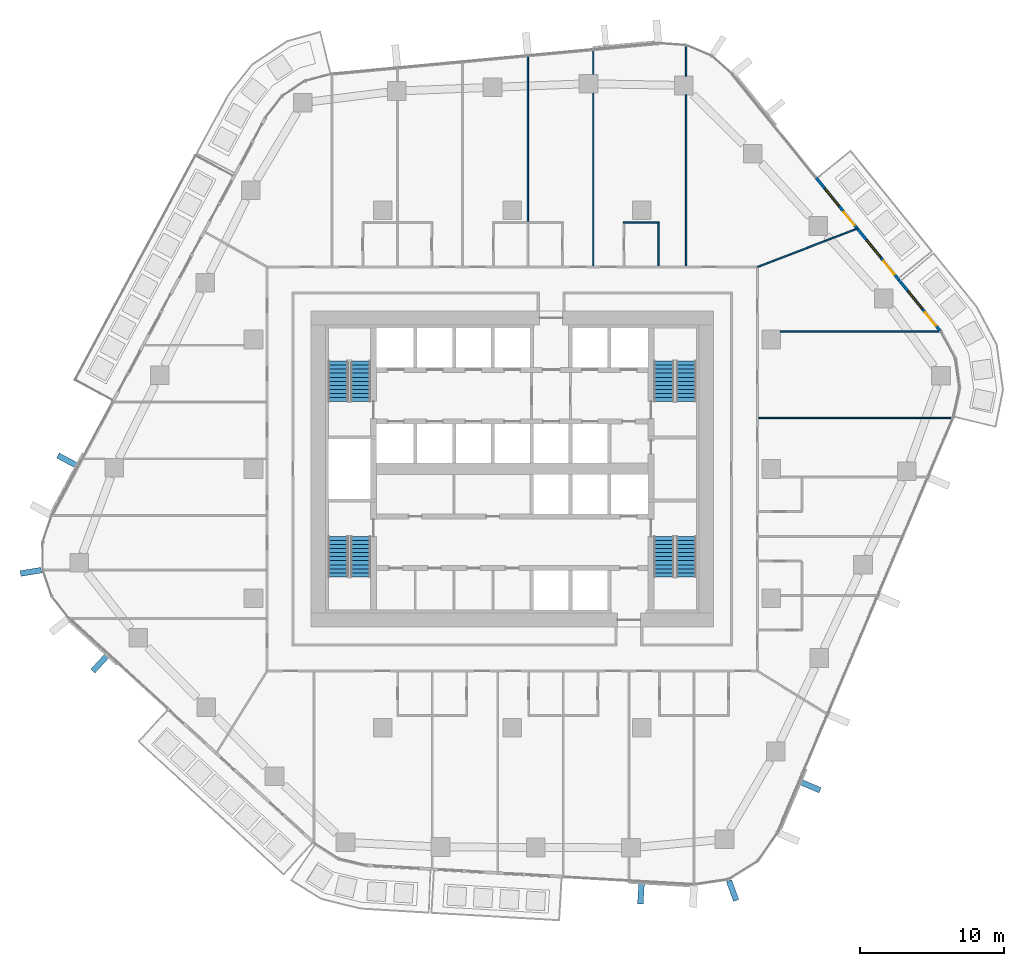
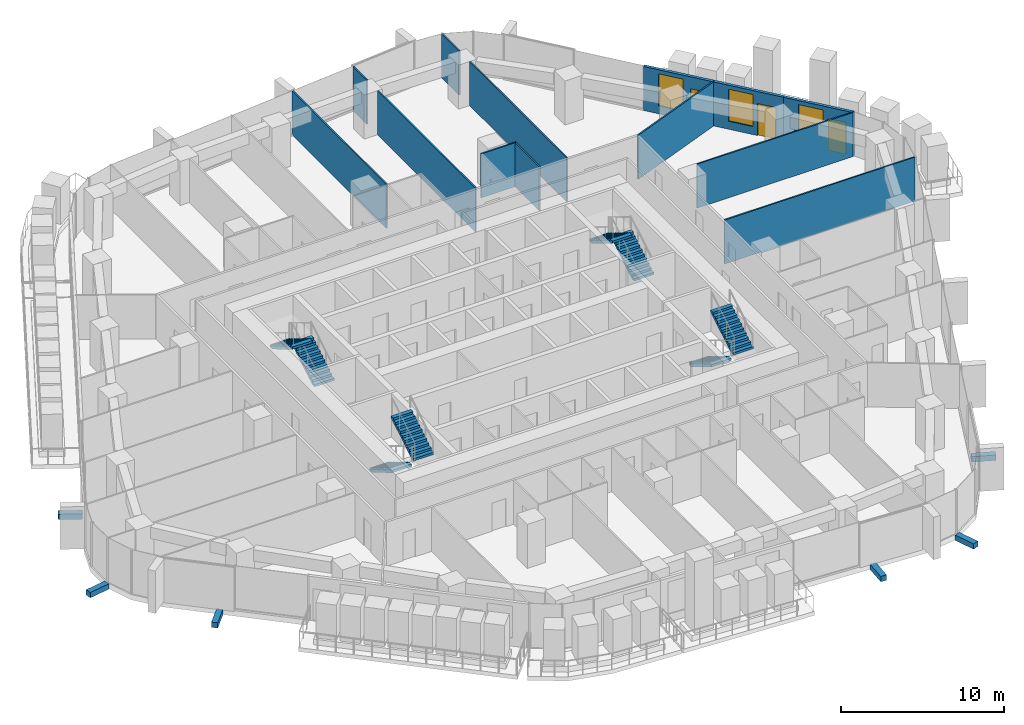
# One storey, part 17 of 24: 12 walls, 8 stair flights, 6 discrete accessories, 3 doors, 3 windows, 6 openings, 4 elements without a shape of their own.
"""IFC4 building model written with IfcOpenShell, lengths in metres."""

from ifc_helpers import new_model, si_unit, direction, frame, frame_2d, origin, origin_2d, place, context, subcontext, project, spatial, polyline, rectangle, outline, extrude, material, layer, layer_set, type_object, element, fill, aggregate, save


model = new_model("IFC4")

# Units and contexts
model_context = context("Model", 3, precision=1e-05, world=origin(), true_north=direction((0.0, 1.0)))
body_context = subcontext(model_context, "Body", "Model", "MODEL_VIEW")
ifc_project = project(units=[si_unit("LENGTHUNIT", "METRE"), si_unit("AREAUNIT", "SQUARE_METRE"), si_unit("VOLUMEUNIT", "CUBIC_METRE"), si_unit("PLANEANGLEUNIT", "RADIAN"), si_unit("MASSUNIT", "GRAM", prefix="KILO")], contexts=[model_context])

# Site, building, storey
site_placement = place(None, origin())
site = spatial("IfcSite", under=ifc_project, at=site_placement, CompositionType="ELEMENT")
building_placement = place(site_placement, origin())
building = spatial("IfcBuilding", under=site, at=building_placement, Name="Dongbaek Canopy Tower", CompositionType="ELEMENT")
storey_placement = place(building_placement, frame((0.0, 0.0, 124.800048828125)))
storey = spatial("IfcBuildingStorey", under=building, at=storey_placement, Name="L27", CompositionType="ELEMENT", Elevation=124.800048828125)

# Walls
ifc_material_1 = material(Name="Gypsum board partition, steel stud, 2 x 12.5 mm board", Category="steel")
ifc_layer_1 = layer(ifc_material_1, 0.10009765625)
ifc_layer_set_1 = layer_set([ifc_layer_1], Name="Partition 100 gypsum board")
wall_type_1 = type_object("IfcWallType", Name="Partition 100 gypsum board", PredefinedType="PARTITIONING", material=ifc_layer_set_1)
wall_1_placement = place(storey_placement, frame((17.125, 3.544921875, 0.0), z_axis=(0.0, 0.0, 1.0), x_axis=(1.0, 0.0, 0.0)))
element("IfcWall", 1, at=wall_1_placement, inside=storey, type_object=wall_type_1, Name="Partition", PredefinedType="PARTITIONING", context=body_context, shape_type="SweptSolid", body=[
    extrude(rectangle(XDim=13.48681640625, YDim=0.10009765625, at=frame_2d((6.743408203125, 0.0))), origin(), (0.0, 0.0, 1.0), 3.300048828125),
])
wall_2_placement = place(storey_placement, frame((18.64990234375, 9.572021484375, 0.0), z_axis=(0.0, 0.0, 1.0), x_axis=(1.0, 0.0, 0.0)))
element("IfcWall", 2, at=wall_2_placement, inside=storey, type_object=wall_type_1, Name="Partition", PredefinedType="PARTITIONING", context=body_context, shape_type="SweptSolid", body=[
    extrude(rectangle(XDim=11.107421875, YDim=0.10009765625, at=frame_2d((5.5537109375, 0.0))), origin(), (0.0, 0.0, 1.0), 3.300048828125),
])
wall_3_placement = place(storey_placement, frame((7.71240234375, 17.14990234375, 0.0), z_axis=(0.0, 0.0, 1.0), x_axis=(1.0, 0.0, 0.0)))
element("IfcWall", 3, at=wall_3_placement, inside=storey, type_object=wall_type_1, Name="Partition", PredefinedType="PARTITIONING", context=body_context, shape_type="SweptSolid", body=[
    extrude(rectangle(XDim=2.5, YDim=0.10009765625, at=frame_2d((1.25, 0.0))), origin(), (0.0, 0.0, 1.0), 3.300048828125),
])
wall_4_placement = place(storey_placement, frame((17.050048828125, 14.0498046875, 0.0), z_axis=(0.0, 0.0, 1.0), x_axis=(0.933461735893, 0.358676996228, 0.0)))
element("IfcWall", 4, at=wall_4_placement, inside=storey, type_object=wall_type_1, Name="Partition", PredefinedType="PARTITIONING", context=body_context, shape_type="SweptSolid", body=[
    extrude(rectangle(XDim=7.419921875, YDim=0.10009765625, at=frame_2d((3.7099609375, 0.0))), origin(), (0.0, 0.0, 1.0), 3.300048828125),
])
wall_5_placement = place(storey_placement, frame((12.091064453125, 14.125, 0.0), z_axis=(0.0, 0.0, 1.0), x_axis=(0.0, 1.0, 0.0)))
element("IfcWall", 5, at=wall_5_placement, inside=storey, type_object=wall_type_1, Name="Partition", PredefinedType="PARTITIONING", context=body_context, shape_type="SweptSolid", body=[
    extrude(rectangle(XDim=11.89892578125, YDim=0.10009765625, at=frame_2d((5.949462890625, 0.0))), origin(), (0.0, 0.0, 1.0), 3.300048828125),
])
wall_6_placement = place(storey_placement, frame((12.091064453125, 27.323974609375, 0.0), z_axis=(0.0, 0.0, 1.0), x_axis=(0.0, 1.0, 0.0)))
element("IfcWall", 6, at=wall_6_placement, inside=storey, type_object=wall_type_1, Name="Partition", PredefinedType="PARTITIONING", context=body_context, shape_type="SweptSolid", body=[
    extrude(rectangle(XDim=2.12841796875, YDim=0.10009765625, at=frame_2d((1.064208984375, 0.0))), origin(), (0.0, 0.0, 1.0), 3.300048828125),
])
wall_7_placement = place(storey_placement, frame((10.162109375, 14.125, 0.0), z_axis=(0.0, 0.0, 1.0), x_axis=(0.0, 1.0, 0.0)))
element("IfcWall", 7, at=wall_7_placement, inside=storey, type_object=wall_type_1, Name="Partition", PredefinedType="PARTITIONING", context=body_context, shape_type="SweptSolid", body=[
    extrude(rectangle(XDim=2.97509765625, YDim=0.10009765625, at=frame_2d((1.487548828125, 0.0))), origin(), (0.0, 0.0, 1.0), 3.300048828125),
])
wall_8_placement = place(storey_placement, frame((5.62890625, 14.125, 0.0), z_axis=(0.0, 0.0, 1.0), x_axis=(0.0, 1.0, 0.0)))
element("IfcWall", 8, at=wall_8_placement, inside=storey, type_object=wall_type_1, Name="Partition", PredefinedType="PARTITIONING", context=body_context, shape_type="SweptSolid", body=[
    extrude(rectangle(XDim=12.02294921875, YDim=0.10009765625, at=frame_2d((6.011474609375, 0.0))), origin(), (0.0, 0.0, 1.0), 3.300048828125),
])
wall_9_placement = place(storey_placement, frame((5.62890625, 27.447998046875, 0.0), z_axis=(0.0, 0.0, 1.0), x_axis=(0.0, 1.0, 0.0)))
element("IfcWall", 9, at=wall_9_placement, inside=storey, type_object=wall_type_1, Name="Partition", PredefinedType="PARTITIONING", context=body_context, shape_type="SweptSolid", body=[
    extrude(rectangle(XDim=1.716796875, YDim=0.10009765625, at=frame_2d((0.8583984375, 0.0))), origin(), (0.0, 0.0, 1.0), 3.300048828125),
])
wall_10_placement = place(storey_placement, frame((1.0869140625, 17.199951171875, 0.0), z_axis=(0.0, 0.0, 1.0), x_axis=(0.0, 1.0, 0.0)))
element("IfcWall", 10, at=wall_10_placement, inside=storey, type_object=wall_type_1, Name="Partition", PredefinedType="PARTITIONING", context=body_context, shape_type="SweptSolid", body=[
    extrude(rectangle(XDim=11.538818359375, YDim=0.10009765625, at=frame_2d((5.76953125, 0.0))), origin(), (0.0, 0.0, 1.0), 3.300048828125),
])

# Wall, openings, doors, windows
ifc_material_2 = material(Name="Aluminium window wall", Category="aluminium")
ifc_layer_2 = layer(ifc_material_2, 0.199951171875)
ifc_layer_set_2 = layer_set([ifc_layer_2], Name="Window wall 200")
wall_type_2 = type_object("IfcWallType", Name="Window wall 200", PredefinedType="SOLIDWALL", material=ifc_layer_set_2)
wall_11_placement = place(storey_placement, frame((26.892333984375, 13.141845703125, 0.0), z_axis=(0.0, 0.0, 1.0), x_axis=(-0.629299699172, 0.777162716953, 0.0)))
wall_11 = element("IfcWall", 11, at=wall_11_placement, inside=storey, type_object=wall_type_2, Name="Window wall L27 1", PredefinedType="SOLIDWALL", context=body_context, shape_type="SweptSolid", body=[
    extrude(rectangle(XDim=9.205078125, YDim=0.199951171875, at=frame_2d((4.6025390625, 0.0))), origin(), (0.0, 0.0, 1.0), 3.300048828125),
])
opening_1_placement = place(wall_11_placement, frame((2.0, 0.0, 0.60009765625)))
opening_1 = element("IfcOpeningElement", 12, at=opening_1_placement, cuts=wall_11, Name="Opening W1", PredefinedType="OPENING", context=body_context, shape_type="SweptSolid", body=[
    extrude(rectangle(XDim=1.60009765625, YDim=2.39990234375, at=frame_2d((0.800048828125, 1.199951171875))), frame((0.0, 0.10986328125, 0.0), z_axis=(0.0, -1.0, 0.0), x_axis=(1.0, 0.0, 0.0)), (0.0, 0.0, 1.0), 0.219970703125),
])
opening_2_placement = place(wall_11_placement, frame((0.5, 0.0, 0.0)))
opening_2 = element("IfcOpeningElement", 13, at=opening_2_placement, cuts=wall_11, Name="Opening L27-B01", PredefinedType="OPENING", context=body_context, shape_type="SweptSolid", body=[
    extrude(rectangle(XDim=1.199951171875, YDim=2.39990234375, at=frame_2d((0.60009765625, 1.199951171875))), frame((0.0, 0.10986328125, 0.0), z_axis=(0.0, -1.0, 0.0), x_axis=(1.0, 0.0, 0.0)), (0.0, 0.0, 1.0), 0.219970703125),
])
opening_3_placement = place(wall_11_placement, frame((6.6025390625, 0.0, 0.60009765625)))
opening_3 = element("IfcOpeningElement", 14, at=opening_3_placement, cuts=wall_11, Name="Opening W1", PredefinedType="OPENING", context=body_context, shape_type="SweptSolid", body=[
    extrude(rectangle(XDim=1.60009765625, YDim=2.39990234375, at=frame_2d((0.800048828125, 1.199951171875))), frame((0.0, 0.10986328125, 0.0), z_axis=(0.0, -1.0, 0.0), x_axis=(1.0, 0.0, 0.0)), (0.0, 0.0, 1.0), 0.219970703125),
])
opening_4_placement = place(wall_11_placement, frame((4.902587890625, 0.0, 0.0)))
opening_4 = element("IfcOpeningElement", 15, at=opening_4_placement, cuts=wall_11, Name="Opening L27-B02", PredefinedType="OPENING", context=body_context, shape_type="SweptSolid", body=[
    extrude(rectangle(XDim=1.199951171875, YDim=2.39990234375, at=frame_2d((0.60009765625, 1.199951171875))), frame((0.0, 0.10986328125, 0.0), z_axis=(0.0, -1.0, 0.0), x_axis=(1.0, 0.0, 0.0)), (0.0, 0.0, 1.0), 0.219970703125),
])
ifc_material_3 = material(Name="Clear glazing in aluminium frame", Category="aluminium")
door_type = type_object("IfcDoorType", Name="Balcony door BD1 1200 x 2400", OperationType="SLIDING_TO_LEFT", PredefinedType="DOOR", material=ifc_material_3)
door_1_placement = place(opening_2_placement, origin())
door_1 = element("IfcDoor", 16, at=door_1_placement, inside=storey, type_object=door_type, Name="Balcony door L27-B01", OperationType="SLIDING_TO_LEFT", OverallHeight=2.39990234375, OverallWidth=1.199951171875, PredefinedType="DOOR", context=body_context, shape_type="SweptSolid", body=[
    extrude(rectangle(XDim=1.199951171875, YDim=2.39990234375, at=frame_2d((0.60009765625, 1.199951171875))), frame((0.0, 0.02490234375, 0.0), z_axis=(0.0, -1.0, 0.0), x_axis=(1.0, 0.0, 0.0)), (0.0, 0.0, 1.0), 0.050048828125),
])
fill(opening_2, door_1)
door_2_placement = place(opening_4_placement, origin())
door_2 = element("IfcDoor", 17, at=door_2_placement, inside=storey, type_object=door_type, Name="Balcony door L27-B02", OperationType="SLIDING_TO_LEFT", OverallHeight=2.39990234375, OverallWidth=1.199951171875, PredefinedType="DOOR", context=body_context, shape_type="SweptSolid", body=[
    extrude(rectangle(XDim=1.199951171875, YDim=2.39990234375, at=frame_2d((0.60009765625, 1.199951171875))), frame((0.0, 0.02490234375, 0.0), z_axis=(0.0, -1.0, 0.0), x_axis=(1.0, 0.0, 0.0)), (0.0, 0.0, 1.0), 0.050048828125),
])
fill(opening_4, door_2)
ifc_material_4 = material(Name="Clear glazing in aluminium frame", Category="aluminium")
window_type = type_object("IfcWindowType", Name="Window W1 1600 x 2400", PartitioningType="SINGLE_PANEL", PredefinedType="WINDOW", material=ifc_material_4)
window_1_placement = place(opening_1_placement, origin())
window_1 = element("IfcWindow", 18, at=window_1_placement, inside=storey, type_object=window_type, Name="Window L27 1.1", OverallHeight=2.39990234375, OverallWidth=1.60009765625, PartitioningType="SINGLE_PANEL", PredefinedType="WINDOW", context=body_context, shape_type="SweptSolid", body=[
    extrude(rectangle(XDim=1.60009765625, YDim=2.39990234375, at=frame_2d((0.800048828125, 1.199951171875))), frame((0.0, 0.030029296875, 0.0), z_axis=(0.0, -1.0, 0.0), x_axis=(1.0, 0.0, 0.0)), (0.0, 0.0, 1.0), 0.06005859375),
])
fill(opening_1, window_1)
window_2_placement = place(opening_3_placement, origin())
window_2 = element("IfcWindow", 19, at=window_2_placement, inside=storey, type_object=window_type, Name="Window L27 1.2", OverallHeight=2.39990234375, OverallWidth=1.60009765625, PartitioningType="SINGLE_PANEL", PredefinedType="WINDOW", context=body_context, shape_type="SweptSolid", body=[
    extrude(rectangle(XDim=1.60009765625, YDim=2.39990234375, at=frame_2d((0.800048828125, 1.199951171875))), frame((0.0, 0.030029296875, 0.0), z_axis=(0.0, -1.0, 0.0), x_axis=(1.0, 0.0, 0.0)), (0.0, 0.0, 1.0), 0.06005859375),
])
fill(opening_3, window_2)

# Wall, openings, door, window
wall_12_placement = place(storey_placement, frame((29.782958984375, 9.572021484375, 0.0), z_axis=(0.0, 0.0, 1.0), x_axis=(-0.629299136059, 0.777163172928, 0.0)))
wall_12 = element("IfcWall", 20, at=wall_12_placement, inside=storey, type_object=wall_type_2, Name="Window wall L27 5", PredefinedType="SOLIDWALL", context=body_context, shape_type="SweptSolid", body=[
    extrude(rectangle(XDim=4.593505859375, YDim=0.199951171875, at=frame_2d((2.296875, 0.0))), origin(), (0.0, 0.0, 1.0), 3.300048828125),
])
opening_5_placement = place(wall_12_placement, frame((2.0, 0.0, 0.60009765625)))
opening_5 = element("IfcOpeningElement", 21, at=opening_5_placement, cuts=wall_12, Name="Opening W1", PredefinedType="OPENING", context=body_context, shape_type="SweptSolid", body=[
    extrude(rectangle(XDim=1.60009765625, YDim=2.39990234375, at=frame_2d((0.800048828125, 1.199951171875))), frame((0.0, 0.10986328125, 0.0), z_axis=(0.0, -1.0, 0.0), x_axis=(1.0, 0.0, 0.0)), (0.0, 0.0, 1.0), 0.219970703125),
])
opening_6_placement = place(wall_12_placement, frame((0.5, 0.0, 0.0)))
opening_6 = element("IfcOpeningElement", 22, at=opening_6_placement, cuts=wall_12, Name="Opening L27-B03", PredefinedType="OPENING", context=body_context, shape_type="SweptSolid", body=[
    extrude(rectangle(XDim=1.199951171875, YDim=2.39990234375, at=frame_2d((0.60009765625, 1.199951171875))), frame((0.0, 0.10986328125, 0.0), z_axis=(0.0, -1.0, 0.0), x_axis=(1.0, 0.0, 0.0)), (0.0, 0.0, 1.0), 0.219970703125),
])
door_3_placement = place(opening_6_placement, origin())
door_3 = element("IfcDoor", 23, at=door_3_placement, inside=storey, type_object=door_type, Name="Balcony door L27-B03", OperationType="SLIDING_TO_LEFT", OverallHeight=2.39990234375, OverallWidth=1.199951171875, PredefinedType="DOOR", context=body_context, shape_type="SweptSolid", body=[
    extrude(rectangle(XDim=1.199951171875, YDim=2.39990234375, at=frame_2d((0.60009765625, 1.199951171875))), frame((0.0, 0.02490234375, 0.0), z_axis=(0.0, -1.0, 0.0), x_axis=(1.0, 0.0, 0.0)), (0.0, 0.0, 1.0), 0.050048828125),
])
fill(opening_6, door_3)
window_3_placement = place(opening_5_placement, origin())
window_3 = element("IfcWindow", 24, at=window_3_placement, inside=storey, type_object=window_type, Name="Window L27 5.1", OverallHeight=2.39990234375, OverallWidth=1.60009765625, PartitioningType="SINGLE_PANEL", PredefinedType="WINDOW", context=body_context, shape_type="SweptSolid", body=[
    extrude(rectangle(XDim=1.60009765625, YDim=2.39990234375, at=frame_2d((0.800048828125, 1.199951171875))), frame((0.0, 0.030029296875, 0.0), z_axis=(0.0, -1.0, 0.0), x_axis=(1.0, 0.0, 0.0)), (0.0, 0.0, 1.0), 0.06005859375),
])
fill(opening_5, window_3)

# Stair, stair flights
ifc_material_5 = material(Name="Concrete C40/50", Category="concrete")
stair_type = type_object("IfcStairType", Name="Core exit stair", PredefinedType="HALF_TURN_STAIR", material=ifc_material_5)
stair_1_placement = place(storey_placement, origin())
stair_1 = element("IfcStair", 25, at=stair_1_placement, inside=storey, type_object=stair_type, Name="L27 exit stair A", PredefinedType="HALF_TURN_STAIR")
ifc_material_6 = material(Name="Concrete C40/50", Category="concrete")
ifc_layer_3 = layer(ifc_material_6, 0.14990234375)
ifc_layer_set_3 = layer_set([ifc_layer_3], Name="Core stair flight 150 waist")
stair_flight_type = type_object("IfcStairFlightType", Name="Core stair flight 150 waist", PredefinedType="STRAIGHT", material=ifc_layer_set_3)
stair_flight_1_placement = place(storey_placement, frame((12.10009765625, 4.699951171875, 0.0), z_axis=(0.0, 0.0, 1.0), x_axis=(0.0, 1.0, 0.0)))
stair_flight_1 = element("IfcStairFlight", 26, at=stair_flight_1_placement, type_object=stair_flight_type, Name="ST-A flight 1", NumberOfRisers=11, NumberOfTreads=10, PredefinedType="STRAIGHT", RiserHeight=0.168181818, TreadLength=0.28, context=body_context, shape_type="SweptSolid", body=[
    extrude(outline(polyline([(0.0, 0.0), (0.0, 0.168212890625), (0.280029296875, 0.168212890625), (0.280029296875, 0.33642578125), (0.56005859375, 0.33642578125), (0.56005859375, 0.504638671875), (0.840087890625, 0.504638671875), (0.840087890625, 0.672607421875), (1.1201171875, 0.672607421875), (1.1201171875, 0.8408203125), (1.39990234375, 0.8408203125), (1.39990234375, 1.009033203125), (1.679931640625, 1.009033203125), (1.679931640625, 1.17724609375), (1.9599609375, 1.17724609375), (1.9599609375, 1.345458984375), (2.239990234375, 1.345458984375), (2.239990234375, 1.513671875), (2.52001953125, 1.513671875), (2.52001953125, 1.681884765625), (2.800048828125, 1.681884765625), (2.800048828125, 1.85009765625), (2.800048828125, 1.5068359375), (0.291015625, 0.0), (0.0, 0.0)])), frame((0.0, 0.699951171875, 0.0), z_axis=(0.0, -1.0, 0.0), x_axis=(1.0, 0.0, 0.0)), (0.0, 0.0, 1.0), 1.39990234375),
])
stair_flight_2_placement = place(storey_placement, frame((10.550048828125, 7.5, 1.849853515625), z_axis=(0.0, 0.0, 1.0), x_axis=(0.0, -1.0, 0.0)))
stair_flight_2 = element("IfcStairFlight", 27, at=stair_flight_2_placement, type_object=stair_flight_type, Name="ST-A flight 2", NumberOfRisers=11, NumberOfTreads=10, PredefinedType="STRAIGHT", RiserHeight=0.168181818, TreadLength=0.28, context=body_context, shape_type="SweptSolid", body=[
    extrude(outline(polyline([(0.0, 0.0), (0.0, 0.168212890625), (0.280029296875, 0.168212890625), (0.280029296875, 0.33642578125), (0.56005859375, 0.33642578125), (0.56005859375, 0.504638671875), (0.840087890625, 0.504638671875), (0.840087890625, 0.672607421875), (1.1201171875, 0.672607421875), (1.1201171875, 0.8408203125), (1.39990234375, 0.8408203125), (1.39990234375, 1.009033203125), (1.679931640625, 1.009033203125), (1.679931640625, 1.17724609375), (1.9599609375, 1.17724609375), (1.9599609375, 1.345458984375), (2.239990234375, 1.345458984375), (2.239990234375, 1.513671875), (2.52001953125, 1.513671875), (2.52001953125, 1.681884765625), (2.800048828125, 1.681884765625), (2.800048828125, 1.85009765625), (2.800048828125, 1.5068359375), (0.291015625, 0.0), (0.0, 0.0)])), frame((0.0, 0.699951171875, 0.0), z_axis=(0.0, -1.0, 0.0), x_axis=(1.0, 0.0, 0.0)), (0.0, 0.0, 1.0), 1.39990234375),
])
aggregate(stair_1, [stair_flight_1, stair_flight_2])

stair_2_placement = place(storey_placement, origin())
stair_2 = element("IfcStair", 28, at=stair_2_placement, inside=storey, type_object=stair_type, Name="L27 exit stair C", PredefinedType="HALF_TURN_STAIR")
stair_flight_3_placement = place(storey_placement, frame((-10.550048828125, 4.699951171875, 0.0), z_axis=(0.0, 0.0, 1.0), x_axis=(0.0, 1.0, 0.0)))
stair_flight_3 = element("IfcStairFlight", 29, at=stair_flight_3_placement, type_object=stair_flight_type, Name="ST-C flight 1", NumberOfRisers=11, NumberOfTreads=10, PredefinedType="STRAIGHT", RiserHeight=0.168181818, TreadLength=0.28, context=body_context, shape_type="SweptSolid", body=[
    extrude(outline(polyline([(0.0, 0.0), (0.0, 0.168212890625), (0.280029296875, 0.168212890625), (0.280029296875, 0.33642578125), (0.56005859375, 0.33642578125), (0.56005859375, 0.504638671875), (0.840087890625, 0.504638671875), (0.840087890625, 0.672607421875), (1.1201171875, 0.672607421875), (1.1201171875, 0.8408203125), (1.39990234375, 0.8408203125), (1.39990234375, 1.009033203125), (1.679931640625, 1.009033203125), (1.679931640625, 1.17724609375), (1.9599609375, 1.17724609375), (1.9599609375, 1.345458984375), (2.239990234375, 1.345458984375), (2.239990234375, 1.513671875), (2.52001953125, 1.513671875), (2.52001953125, 1.681884765625), (2.800048828125, 1.681884765625), (2.800048828125, 1.85009765625), (2.800048828125, 1.5068359375), (0.291015625, 0.0), (0.0, 0.0)])), frame((0.0, 0.699951171875, 0.0), z_axis=(0.0, -1.0, 0.0), x_axis=(1.0, 0.0, 0.0)), (0.0, 0.0, 1.0), 1.39990234375),
])
stair_flight_4_placement = place(storey_placement, frame((-12.10009765625, 7.5, 1.849853515625), z_axis=(0.0, 0.0, 1.0), x_axis=(0.0, -1.0, 0.0)))
stair_flight_4 = element("IfcStairFlight", 30, at=stair_flight_4_placement, type_object=stair_flight_type, Name="ST-C flight 2", NumberOfRisers=11, NumberOfTreads=10, PredefinedType="STRAIGHT", RiserHeight=0.168181818, TreadLength=0.28, context=body_context, shape_type="SweptSolid", body=[
    extrude(outline(polyline([(0.0, 0.0), (0.0, 0.168212890625), (0.280029296875, 0.168212890625), (0.280029296875, 0.33642578125), (0.56005859375, 0.33642578125), (0.56005859375, 0.504638671875), (0.840087890625, 0.504638671875), (0.840087890625, 0.672607421875), (1.1201171875, 0.672607421875), (1.1201171875, 0.8408203125), (1.39990234375, 0.8408203125), (1.39990234375, 1.009033203125), (1.679931640625, 1.009033203125), (1.679931640625, 1.17724609375), (1.9599609375, 1.17724609375), (1.9599609375, 1.345458984375), (2.239990234375, 1.345458984375), (2.239990234375, 1.513671875), (2.52001953125, 1.513671875), (2.52001953125, 1.681884765625), (2.800048828125, 1.681884765625), (2.800048828125, 1.85009765625), (2.800048828125, 1.5068359375), (0.291015625, 0.0), (0.0, 0.0)])), frame((0.0, 0.699951171875, 0.0), z_axis=(0.0, -1.0, 0.0), x_axis=(1.0, 0.0, 0.0)), (0.0, 0.0, 1.0), 1.39990234375),
])
aggregate(stair_2, [stair_flight_3, stair_flight_4])

stair_3_placement = place(storey_placement, origin())
stair_3 = element("IfcStair", 31, at=stair_3_placement, inside=storey, type_object=stair_type, Name="L27 exit stair B", PredefinedType="HALF_TURN_STAIR")
stair_flight_5_placement = place(storey_placement, frame((10.550048828125, -4.699951171875, 0.0), z_axis=(0.0, 0.0, 1.0), x_axis=(0.0, -1.0, 0.0)))
stair_flight_5 = element("IfcStairFlight", 32, at=stair_flight_5_placement, type_object=stair_flight_type, Name="ST-B flight 1", NumberOfRisers=11, NumberOfTreads=10, PredefinedType="STRAIGHT", RiserHeight=0.168181818, TreadLength=0.28, context=body_context, shape_type="SweptSolid", body=[
    extrude(outline(polyline([(0.0, 0.0), (0.0, 0.168212890625), (0.280029296875, 0.168212890625), (0.280029296875, 0.33642578125), (0.56005859375, 0.33642578125), (0.56005859375, 0.504638671875), (0.840087890625, 0.504638671875), (0.840087890625, 0.672607421875), (1.1201171875, 0.672607421875), (1.1201171875, 0.8408203125), (1.39990234375, 0.8408203125), (1.39990234375, 1.009033203125), (1.679931640625, 1.009033203125), (1.679931640625, 1.17724609375), (1.9599609375, 1.17724609375), (1.9599609375, 1.345458984375), (2.239990234375, 1.345458984375), (2.239990234375, 1.513671875), (2.52001953125, 1.513671875), (2.52001953125, 1.681884765625), (2.800048828125, 1.681884765625), (2.800048828125, 1.85009765625), (2.800048828125, 1.5068359375), (0.291015625, 0.0), (0.0, 0.0)])), frame((0.0, 0.699951171875, 0.0), z_axis=(0.0, -1.0, 0.0), x_axis=(1.0, 0.0, 0.0)), (0.0, 0.0, 1.0), 1.39990234375),
])
stair_flight_6_placement = place(storey_placement, frame((12.10009765625, -7.5, 1.849853515625), z_axis=(0.0, 0.0, 1.0), x_axis=(0.0, 1.0, 0.0)))
stair_flight_6 = element("IfcStairFlight", 33, at=stair_flight_6_placement, type_object=stair_flight_type, Name="ST-B flight 2", NumberOfRisers=11, NumberOfTreads=10, PredefinedType="STRAIGHT", RiserHeight=0.168181818, TreadLength=0.28, context=body_context, shape_type="SweptSolid", body=[
    extrude(outline(polyline([(0.0, 0.0), (0.0, 0.168212890625), (0.280029296875, 0.168212890625), (0.280029296875, 0.33642578125), (0.56005859375, 0.33642578125), (0.56005859375, 0.504638671875), (0.840087890625, 0.504638671875), (0.840087890625, 0.672607421875), (1.1201171875, 0.672607421875), (1.1201171875, 0.8408203125), (1.39990234375, 0.8408203125), (1.39990234375, 1.009033203125), (1.679931640625, 1.009033203125), (1.679931640625, 1.17724609375), (1.9599609375, 1.17724609375), (1.9599609375, 1.345458984375), (2.239990234375, 1.345458984375), (2.239990234375, 1.513671875), (2.52001953125, 1.513671875), (2.52001953125, 1.681884765625), (2.800048828125, 1.681884765625), (2.800048828125, 1.85009765625), (2.800048828125, 1.5068359375), (0.291015625, 0.0), (0.0, 0.0)])), frame((0.0, 0.699951171875, 0.0), z_axis=(0.0, -1.0, 0.0), x_axis=(1.0, 0.0, 0.0)), (0.0, 0.0, 1.0), 1.39990234375),
])
aggregate(stair_3, [stair_flight_5, stair_flight_6])

stair_4_placement = place(storey_placement, origin())
stair_4 = element("IfcStair", 34, at=stair_4_placement, inside=storey, type_object=stair_type, Name="L27 exit stair D", PredefinedType="HALF_TURN_STAIR")
stair_flight_7_placement = place(storey_placement, frame((-12.10009765625, -4.699951171875, 0.0), z_axis=(0.0, 0.0, 1.0), x_axis=(0.0, -1.0, 0.0)))
stair_flight_7 = element("IfcStairFlight", 35, at=stair_flight_7_placement, type_object=stair_flight_type, Name="ST-D flight 1", NumberOfRisers=11, NumberOfTreads=10, PredefinedType="STRAIGHT", RiserHeight=0.168181818, TreadLength=0.28, context=body_context, shape_type="SweptSolid", body=[
    extrude(outline(polyline([(0.0, 0.0), (0.0, 0.168212890625), (0.280029296875, 0.168212890625), (0.280029296875, 0.33642578125), (0.56005859375, 0.33642578125), (0.56005859375, 0.504638671875), (0.840087890625, 0.504638671875), (0.840087890625, 0.672607421875), (1.1201171875, 0.672607421875), (1.1201171875, 0.8408203125), (1.39990234375, 0.8408203125), (1.39990234375, 1.009033203125), (1.679931640625, 1.009033203125), (1.679931640625, 1.17724609375), (1.9599609375, 1.17724609375), (1.9599609375, 1.345458984375), (2.239990234375, 1.345458984375), (2.239990234375, 1.513671875), (2.52001953125, 1.513671875), (2.52001953125, 1.681884765625), (2.800048828125, 1.681884765625), (2.800048828125, 1.85009765625), (2.800048828125, 1.5068359375), (0.291015625, 0.0), (0.0, 0.0)])), frame((0.0, 0.699951171875, 0.0), z_axis=(0.0, -1.0, 0.0), x_axis=(1.0, 0.0, 0.0)), (0.0, 0.0, 1.0), 1.39990234375),
])
stair_flight_8_placement = place(storey_placement, frame((-10.550048828125, -7.5, 1.849853515625), z_axis=(0.0, 0.0, 1.0), x_axis=(0.0, 1.0, 0.0)))
stair_flight_8 = element("IfcStairFlight", 36, at=stair_flight_8_placement, type_object=stair_flight_type, Name="ST-D flight 2", NumberOfRisers=11, NumberOfTreads=10, PredefinedType="STRAIGHT", RiserHeight=0.168181818, TreadLength=0.28, context=body_context, shape_type="SweptSolid", body=[
    extrude(outline(polyline([(0.0, 0.0), (0.0, 0.168212890625), (0.280029296875, 0.168212890625), (0.280029296875, 0.33642578125), (0.56005859375, 0.33642578125), (0.56005859375, 0.504638671875), (0.840087890625, 0.504638671875), (0.840087890625, 0.672607421875), (1.1201171875, 0.672607421875), (1.1201171875, 0.8408203125), (1.39990234375, 0.8408203125), (1.39990234375, 1.009033203125), (1.679931640625, 1.009033203125), (1.679931640625, 1.17724609375), (1.9599609375, 1.17724609375), (1.9599609375, 1.345458984375), (2.239990234375, 1.345458984375), (2.239990234375, 1.513671875), (2.52001953125, 1.513671875), (2.52001953125, 1.681884765625), (2.800048828125, 1.681884765625), (2.800048828125, 1.85009765625), (2.800048828125, 1.5068359375), (0.291015625, 0.0), (0.0, 0.0)])), frame((0.0, 0.699951171875, 0.0), z_axis=(0.0, -1.0, 0.0), x_axis=(1.0, 0.0, 0.0)), (0.0, 0.0, 1.0), 1.39990234375),
])
aggregate(stair_4, [stair_flight_7, stair_flight_8])

# Discrete accessories
ifc_material_7 = material(Name="Galvanised steel S355 bracket", Category="steel")
discrete_accessory_type = type_object("IfcDiscreteAccessoryType", Name="Crease fin bracket BR3 400", PredefinedType="BRACKET", material=ifc_material_7)
for number, where, z_axis, x_axis, name in (
    (37, (-30.9423828125, 0.5859375, -0.39990234375), (0.0, 0.0, 1.0), (-0.88084281997, 0.473408836533, 0.0), "Crease fin bracket L27 F2"),
    (38, (-28.666748046875, -13.507080078125, -0.39990234375), (0.0, 0.0, 1.0), (-0.675980011014, -0.736919958143, 0.0), "Crease fin bracket L27 F3"),
    (39, (8.949462890625, -29.516845703125, -0.39990234375), (0.0, 0.0, 1.0), (-0.057753951351, -0.998330847517, 0.0), "Crease fin bracket L27 F4"),
    (40, (20.72021484375, -22.05419921875, -0.39990234375), (0.0, 0.0, 1.0), (0.920957733069, -0.389662487162, 0.0), "Crease fin bracket L27 F5"),
):
    element("IfcDiscreteAccessory", number, at=place(storey_placement, frame(where, z_axis=z_axis, x_axis=x_axis)), inside=storey, type_object=discrete_accessory_type, Name=name, PredefinedType="BRACKET", context=body_context, shape_type="SweptSolid", body=[
        extrude(rectangle(XDim=1.489990234375, YDim=0.39990234375, at=origin_2d()), origin(), (0.0, 0.0, 1.0), 0.39990234375),
    ])
for number, where, z_axis, x_axis, name in (
    (41, (-33.48095703125, -7.153564453125, -0.39990234375), (0.0, 0.0, 1.0), (-0.985975946341, -0.16688748676, 0.0), "Corner fin bracket L27 K3"),
    (42, (15.318115234375, -29.317626953125, -0.39990234375), (0.0, 0.0, 1.0), (0.34445122323, -0.93880421538, 0.0), "Corner fin bracket L27 K5"),
):
    element("IfcDiscreteAccessory", number, at=place(storey_placement, frame(where, z_axis=z_axis, x_axis=x_axis)), inside=storey, type_object=discrete_accessory_type, Name=name, PredefinedType="BRACKET", context=body_context, shape_type="SweptSolid", body=[
        extrude(rectangle(XDim=1.469970703125, YDim=0.39990234375, at=origin_2d()), origin(), (0.0, 0.0, 1.0), 0.39990234375),
    ])

save(model, "model.ifc")
